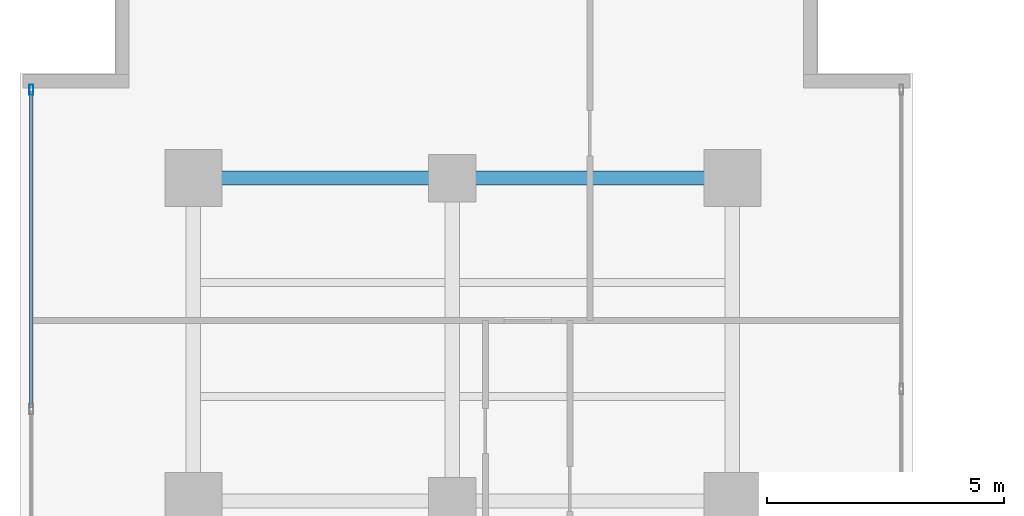
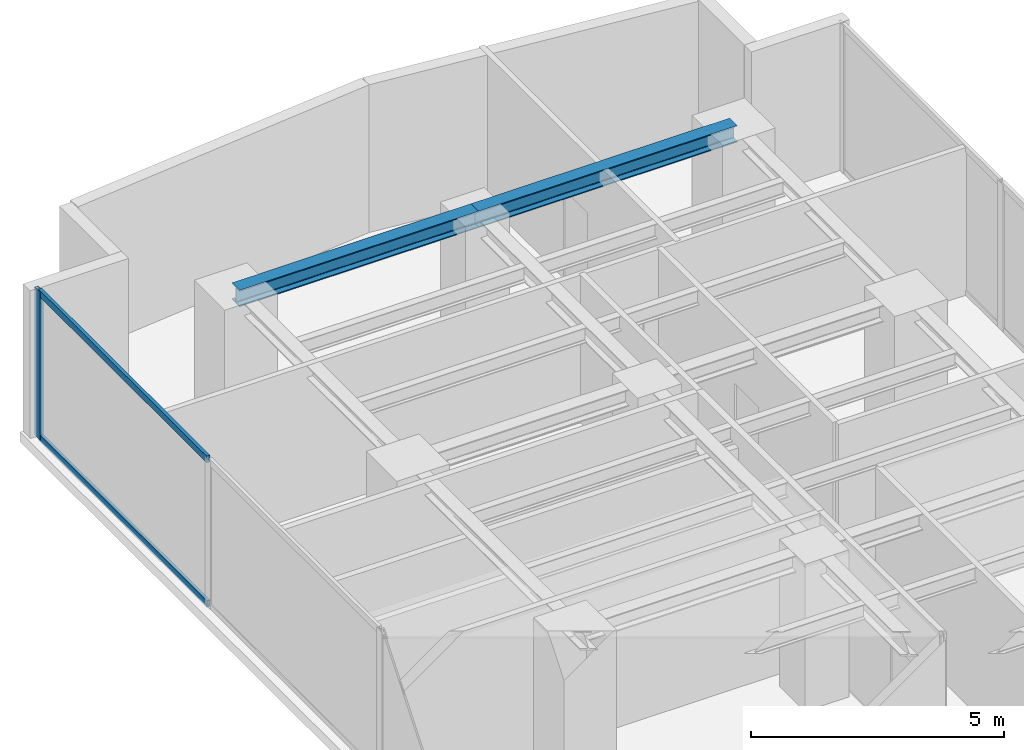
# One storey, part 17 of 27: 3 members, 2 beams, 1 element without a shape of its own.
"""IFC4 building model written with IfcOpenShell, lengths in metres."""

from ifc_helpers import new_model, si_unit, direction, frame, origin, origin_with_axes, origin_2d, place, context, subcontext, project, spatial, hollow_rectangle, i_section, extrude, source, transform, mapped, material, layer, layer_set, material_profile, profile_set, type_object, element, aggregate, save


model = new_model("IFC4")

# Units and contexts
model_context = context("Model", 3, precision=1e-05, world=origin(), true_north=direction((0.0, 1.0)))
body_context = subcontext(model_context, "Body", "Model", "MODEL_VIEW")
ifc_project = project(units=[si_unit("LENGTHUNIT", "METRE"), si_unit("AREAUNIT", "SQUARE_METRE"), si_unit("VOLUMEUNIT", "CUBIC_METRE"), si_unit("PLANEANGLEUNIT", "RADIAN"), si_unit("MASSUNIT", "GRAM", prefix="KILO")], contexts=[model_context])

# Site, building, storey
site_placement = place(None, origin())
site = spatial("IfcSite", under=ifc_project, at=site_placement, CompositionType="ELEMENT")
building_placement = place(site_placement, origin())
building = spatial("IfcBuilding", under=site, at=building_placement, Name="Kolvaren Waterfront Exchange", CompositionType="ELEMENT")
storey_placement = place(building_placement, frame((0.0, 0.0, 191.800048828125)))
storey = spatial("IfcBuildingStorey", under=building, at=storey_placement, Name="L49", CompositionType="ELEMENT", Elevation=191.800048828125)

# Beams
ifc_material_1 = material(Name="Steel S355", Category="steel")
ifc_material_profile_1 = material_profile(ifc_material_1, i_section(OverallWidth=0.300048828125, OverallDepth=0.39990234375, WebThickness=0.013427734375, FlangeThickness=0.02392578125, FilletRadius=0.027099609375, at=origin_2d()), Name="HEB400")
ifc_profile_set_1 = profile_set([ifc_material_profile_1], Name="Steel S355")
beam_type = type_object("IfcBeamType", Name="STR-BM-HEB400", PredefinedType="BEAM", material=ifc_profile_set_1)
beam_1_placement = place(storey_placement, frame((7.449951171875, 44.60009765625, 3.35986328125), z_axis=(1.0, 0.0, 0.0), x_axis=(0.0, 1.0, 0.0)))
element("IfcBeam", 1, at=beam_1_placement, inside=storey, type_object=beam_type, Name="L49 north-arm girder 4A", PredefinedType="BEAM", context=body_context, shape_type="SweptSolid", body=[
    extrude(i_section(OverallWidth=0.300048828125, OverallDepth=0.39990234375, WebThickness=0.013427734375, FlangeThickness=0.02392578125, FilletRadius=0.027099609375, at=origin_2d()), origin(), (0.0, 0.0, 1.0), 5.449951171875),
])
beam_2_placement = place(storey_placement, frame((12.89990234375, 44.60009765625, 3.35986328125), z_axis=(1.0, 0.0, 0.0), x_axis=(0.0, 1.0, 0.0)))
element("IfcBeam", 2, at=beam_2_placement, inside=storey, type_object=beam_type, Name="L49 north-arm girder 4B", PredefinedType="BEAM", context=body_context, shape_type="SweptSolid", body=[
    extrude(i_section(OverallWidth=0.300048828125, OverallDepth=0.39990234375, WebThickness=0.013427734375, FlangeThickness=0.02392578125, FilletRadius=0.027099609375, at=origin_2d()), origin(), (0.0, 0.0, 1.0), 5.900146484375),
])

# Curtain wall, members
ifc_material_2 = material(Name="Anodised aluminium 6063-T6", Category="aluminium")
ifc_layer = layer(ifc_material_2, 0.219970703125, Name="Anodised aluminium 6063-T6")
ifc_layer_set = layer_set([ifc_layer], Name="Anodised aluminium 6063-T6")
curtain_wall_type = type_object("IfcCurtainWallType", Name="ARC-CW-SYS2", PredefinedType="USERDEFINED", material=ifc_layer_set)
curtain_wall_placement = place(storey_placement, origin())
curtain_wall = element("IfcCurtainWall", 3, at=curtain_wall_placement, inside=storey, type_object=curtain_wall_type, Name="L49 stick curtain wall CW2 (CW-L49-W)", ObjectType="STICK CURTAIN WALL", PredefinedType="USERDEFINED")
ifc_material_profile_2 = material_profile(ifc_material_2, hollow_rectangle(XDim=0.080078125, YDim=0.219970703125, WallThickness=0.0048828125, at=origin_2d()), Name="ALU-MUL-220x80x5")
ifc_profile_set_2 = profile_set([ifc_material_profile_2], Name="Anodised aluminium 6063-T6")
member_type_1 = type_object("IfcMemberType", Name="ARC-CWM-220", PredefinedType="MULLION", material=ifc_profile_set_2)
shared_shape_1 = source(origin_with_axes(), body_context, "Body", "SweptSolid", [
    extrude(hollow_rectangle(XDim=0.080078125, YDim=0.219970703125, WallThickness=0.0048828125, at=origin_2d()), origin(), (0.0, 0.0, 1.0), 3.56005859375),
])
member_1_placement = place(storey_placement, frame((4.0400390625, 46.4599609375, 0.0), z_axis=(0.0, 0.0, 1.0), x_axis=(-1.0, 0.0, 0.0)))
member_1 = element("IfcMember", 4, at=member_1_placement, type_object=member_type_1, Name="CW2 mullion 7", PredefinedType="MULLION", context=body_context, shape_type="MappedRepresentation", body=[
    mapped(shared_shape_1, transform((0.0, 0.0, 0.0), x_axis=(1.0, 0.0, 0.0), y_axis=(0.0, 1.0, 0.0), z_axis=(0.0, 0.0, 1.0), scale=1.0)),
])
ifc_material_profile_3 = material_profile(ifc_material_2, hollow_rectangle(XDim=0.074951171875, YDim=0.159912109375, WallThickness=0.00439453125, at=origin_2d()), Name="ALU-TRN-160x75x4.5")
ifc_profile_set_3 = profile_set([ifc_material_profile_3], Name="Anodised aluminium 6063-T6")
member_type_2 = type_object("IfcMemberType", Name="ARC-CWT-160", PredefinedType="USERDEFINED", material=ifc_profile_set_3)
shared_shape_2 = source(origin_with_axes(), body_context, "Body", "SweptSolid", [
    extrude(hollow_rectangle(XDim=0.074951171875, YDim=0.159912109375, WallThickness=0.00439453125, at=origin_2d()), origin(), (0.0, 0.0, 1.0), 6.646484375),
])
member_2_placement = place(storey_placement, frame((4.0400390625, 39.7734375, 0.037353515625), z_axis=(0.0, 1.0, 0.0), x_axis=(-1.0, 0.0, 0.0)))
member_2 = element("IfcMember", 5, at=member_2_placement, type_object=member_type_2, Name="CW2 transom 6.1", ObjectType="TRANSOM", PredefinedType="USERDEFINED", context=body_context, shape_type="MappedRepresentation", body=[
    mapped(shared_shape_2, transform((0.0, 0.0, 0.0), x_axis=(1.0, 0.0, 0.0), y_axis=(0.0, 1.0, 0.0), z_axis=(0.0, 0.0, 1.0), scale=1.0)),
])
member_3_placement = place(storey_placement, frame((4.0400390625, 39.7734375, 3.5224609375), z_axis=(0.0, 1.0, 0.0), x_axis=(-1.0, 0.0, 0.0)))
member_3 = element("IfcMember", 6, at=member_3_placement, type_object=member_type_2, Name="CW2 transom 6.2", ObjectType="TRANSOM", PredefinedType="USERDEFINED", context=body_context, shape_type="MappedRepresentation", body=[
    mapped(shared_shape_2, transform((0.0, 0.0, 0.0), x_axis=(1.0, 0.0, 0.0), y_axis=(0.0, 1.0, 0.0), z_axis=(0.0, 0.0, 1.0), scale=1.0)),
])
aggregate(curtain_wall, [member_1, member_2, member_3])

save(model, "model.ifc")
